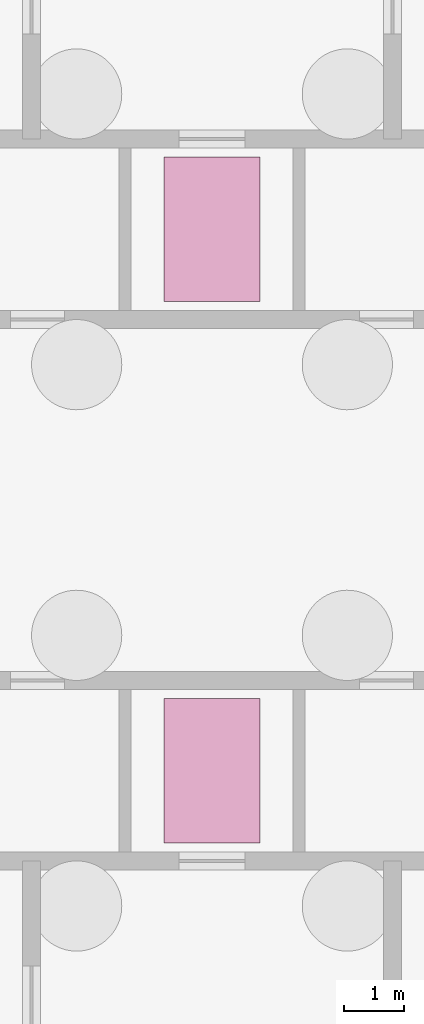
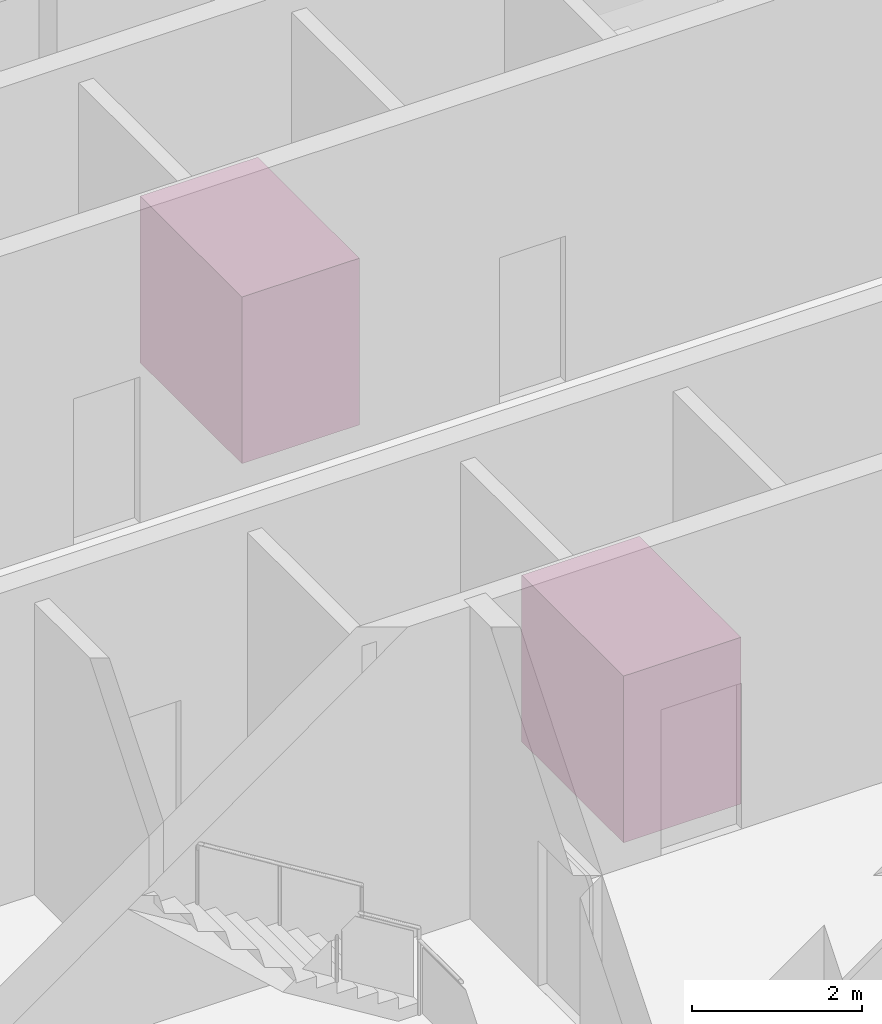
# One storey, part 11 of 11: 2 transport elements.
"""IFC4 building model written with IfcOpenShell, lengths in metres."""

from ifc_helpers import new_model, si_unit, direction, frame, origin, origin_2d, place, context, subcontext, project, spatial, rectangle, extrude, material, type_object, element, save


model = new_model("IFC4")

# Units and contexts
model_context = context("Model", 3, precision=1e-05, world=origin(), true_north=direction((0.0, 1.0)))
body_context = subcontext(model_context, "Body", "Model", "MODEL_VIEW")
ifc_project = project(units=[si_unit("LENGTHUNIT", "METRE"), si_unit("AREAUNIT", "SQUARE_METRE"), si_unit("VOLUMEUNIT", "CUBIC_METRE"), si_unit("PLANEANGLEUNIT", "RADIAN"), si_unit("MASSUNIT", "GRAM", prefix="KILO")], contexts=[model_context])

# Site, building, storey
site_placement = place(None, origin())
site = spatial("IfcSite", under=ifc_project, at=site_placement, CompositionType="ELEMENT")
building_placement = place(site_placement, origin())
building = spatial("IfcBuilding", under=site, at=building_placement, Name="Mashrafa Tower", CompositionType="ELEMENT")
storey_placement = place(building_placement, frame((0.0, 0.0, -9.0)))
storey = spatial("IfcBuildingStorey", under=building, at=storey_placement, Name="B2", CompositionType="ELEMENT", Elevation=-9.0)

# Transport elements
ifc_material = material(Name="Steel lift car", Category="steel")
transport_element_type = type_object("IfcTransportElementType", Name="Fire service access lift 1800 kg car 1600 x 2400", PredefinedType="ELEVATOR", material=ifc_material)
for number, where, z_axis, x_axis, name in (
    (1, (0.0, 4.5, 0.0), (0.0, 0.0, 1.0), (1.0, 0.0, 0.0), "Fire service access lift F1"),
    (2, (0.0, -4.5, 0.0), (0.0, 0.0, 1.0), (1.0, 0.0, 0.0), "Fire service access lift F2"),
):
    element("IfcTransportElement", number, at=place(storey_placement, frame(where, z_axis=z_axis, x_axis=x_axis)), inside=storey, type_object=transport_element_type, Name=name, PredefinedType="ELEVATOR", context=body_context, shape_type="SweptSolid", body=[
        extrude(rectangle(XDim=1.60009765625, YDim=2.39990234375, at=origin_2d()), origin(), (0.0, 0.0, 1.0), 2.39990234375),
    ])

save(model, "model.ifc")
